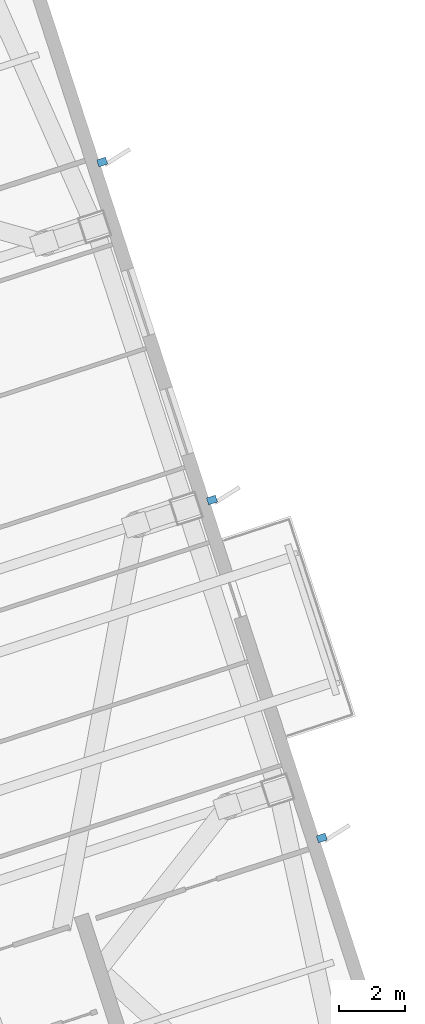
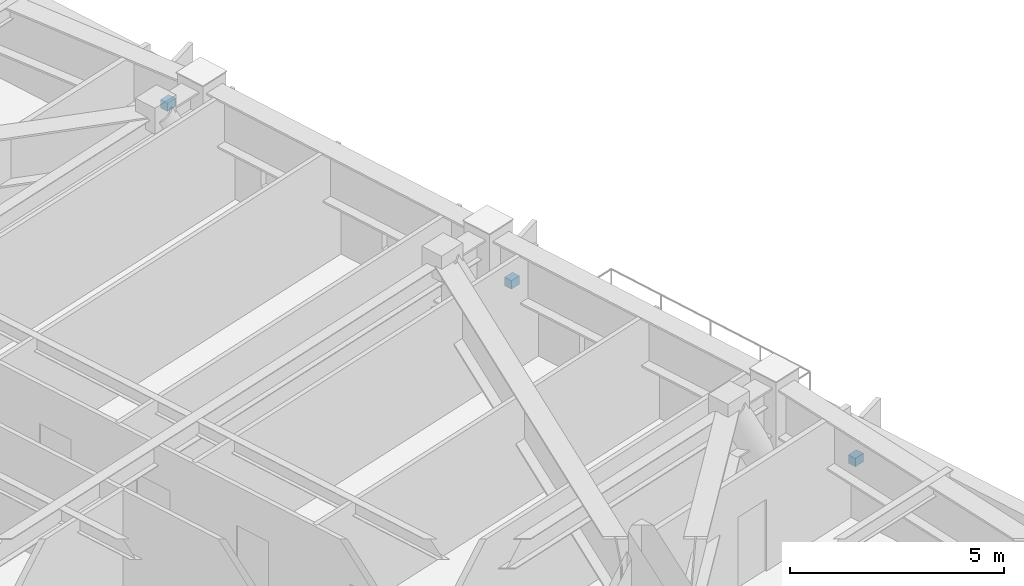
# One storey, part 13 of 18: 3 discrete accessories.
"""IFC4 building model written with IfcOpenShell, lengths in metres."""

from ifc_helpers import new_model, si_unit, direction, frame, origin, origin_2d, place, context, subcontext, project, spatial, rectangle, extrude, material, type_object, element, save


model = new_model("IFC4")

# Units and contexts
model_context = context("Model", 3, precision=1e-05, world=origin(), true_north=direction((0.0, 1.0)))
body_context = subcontext(model_context, "Body", "Model", "MODEL_VIEW")
ifc_project = project(units=[si_unit("LENGTHUNIT", "METRE"), si_unit("AREAUNIT", "SQUARE_METRE"), si_unit("VOLUMEUNIT", "CUBIC_METRE"), si_unit("PLANEANGLEUNIT", "RADIAN"), si_unit("MASSUNIT", "GRAM", prefix="KILO")], contexts=[model_context])

# Site, building, storey
site_placement = place(None, origin())
site = spatial("IfcSite", under=ifc_project, at=site_placement, CompositionType="ELEMENT")
building_placement = place(site_placement, origin())
building = spatial("IfcBuilding", under=site, at=building_placement, Name="Qiaolan Cultural Towers", CompositionType="ELEMENT")
storey_placement = place(building_placement, frame((0.0, 0.0, 195.5)))
storey = spatial("IfcBuildingStorey", under=building, at=storey_placement, Name="L52", CompositionType="ELEMENT", Elevation=195.5)

# Discrete accessories
ifc_material = material(Name="Stainless Steel S31608 Facade Anchor Bracket", Category="steel")
discrete_accessory_type = type_object("IfcDiscreteAccessoryType", Name="ACC-BRK-SS", PredefinedType="BRACKET", material=ifc_material)
for number, where, z_axis, x_axis, name in (
    (1, (108.440185546875, 28.6357421875, 1.18505859375), (0.0, 0.0, 1.0), (0.951056516295, 0.309016994375, 0.0), "L52 T2 Facade Fin Anchor Bracket E1"),
    (2, (105.102783203125, 38.9072265625, 1.18505859375), (0.0, 0.0, 1.0), (0.951056516295, 0.309016994375, 0.0), "L52 T2 Facade Fin Anchor Bracket E2"),
    (3, (101.765380859375, 49.1787109375, 1.18505859375), (0.0, 0.0, 1.0), (0.951056516295, 0.309016994375, 0.0), "L52 T2 Facade Fin Anchor Bracket E3"),
):
    element("IfcDiscreteAccessory", number, at=place(storey_placement, frame(where, z_axis=z_axis, x_axis=x_axis)), inside=storey, type_object=discrete_accessory_type, Name=name, PredefinedType="BRACKET", context=body_context, shape_type="SweptSolid", body=[
        extrude(rectangle(XDim=0.280029296875, YDim=0.219970703125, at=origin_2d()), origin(), (0.0, 0.0, 1.0), 0.239990234375),
    ])

save(model, "model.ifc")
